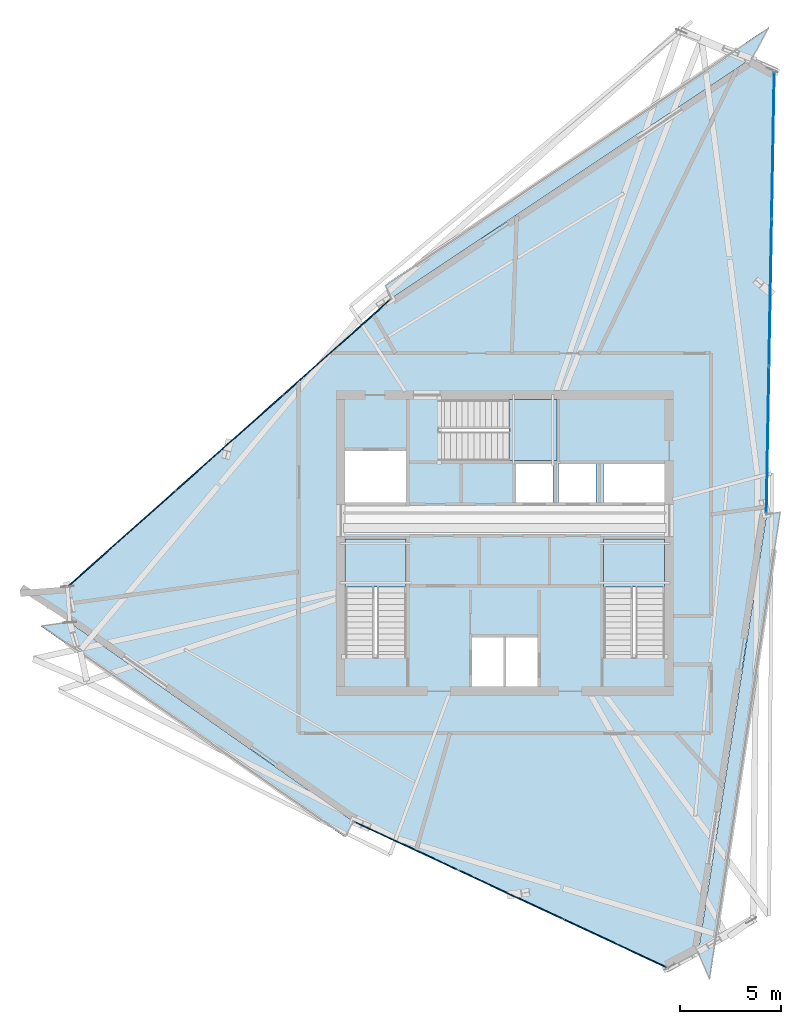
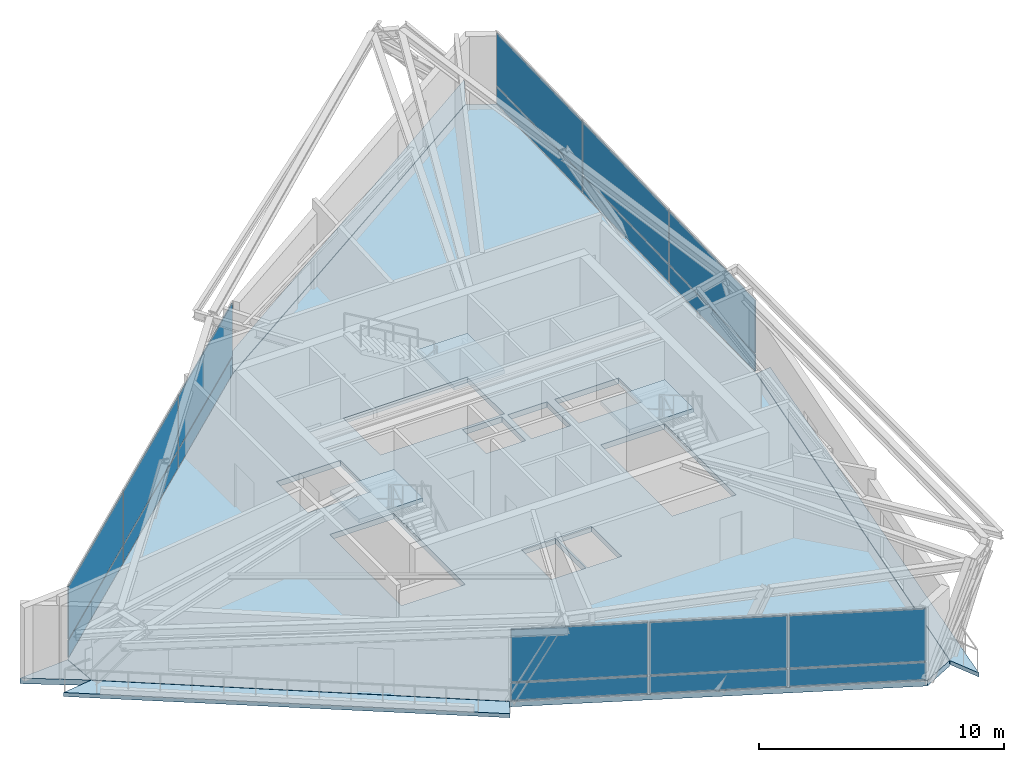
# One storey, part 14 of 22: 18 plates, 8 slabs, 6 elements without a shape of their own.
"""IFC4 building model written with IfcOpenShell, lengths in metres."""

from ifc_helpers import new_model, si_unit, direction, frame, origin, origin_2d, place, context, subcontext, project, spatial, polyline, rectangle, outline, extrude, source, transform, mapped, material, layer, layer_set, type_object, element, aggregate, save


model = new_model("IFC4")

# Units and contexts
model_context = context("Model", 3, precision=1e-05, world=origin(), true_north=direction((0.0, 1.0)))
body_context = subcontext(model_context, "Body", "Model", "MODEL_VIEW")
ifc_project = project(units=[si_unit("LENGTHUNIT", "METRE"), si_unit("AREAUNIT", "SQUARE_METRE"), si_unit("VOLUMEUNIT", "CUBIC_METRE"), si_unit("PLANEANGLEUNIT", "RADIAN"), si_unit("MASSUNIT", "GRAM", prefix="KILO")], contexts=[model_context])

# Site, building, storey
site_placement = place(None, origin())
site = spatial("IfcSite", under=ifc_project, at=site_placement, CompositionType="ELEMENT")
building_placement = place(site_placement, origin())
building = spatial("IfcBuilding", under=site, at=building_placement, Name="Olszyna Solenne Hotel", CompositionType="ELEMENT")
storey_placement = place(building_placement, frame((0.0, 0.0, 286.10009765625)))
storey = spatial("IfcBuildingStorey", under=building, at=storey_placement, Name="L76", CompositionType="ELEMENT", Elevation=286.10009765625)

# Stair, slab
ifc_material_1 = material(Name="Concrete C40/50", Category="concrete")
stair_type = type_object("IfcStairType", Name="STR-C1", PredefinedType="TWO_QUARTER_WINDING_STAIR", material=ifc_material_1)
stair_1_placement = place(storey_placement, origin())
stair_1 = element("IfcStair", 1, at=stair_1_placement, inside=storey, type_object=stair_type, Name="L76 ST1", PredefinedType="TWO_QUARTER_WINDING_STAIR")
ifc_layer_1 = layer(ifc_material_1, 0.18994140625, Name="Concrete C40/50")
ifc_layer_set_1 = layer_set([ifc_layer_1], Name="Concrete C40/50")
slab_type_1 = type_object("IfcSlabType", Name="SL-LN190", PredefinedType="LANDING", material=ifc_layer_set_1)
slab_1_placement = place(storey_placement, frame((0.0, 0.0, 2.0)))
slab_1 = element("IfcSlab", 2, at=slab_1_placement, type_object=slab_type_1, Name="ST1 landing 1", PredefinedType="LANDING", context=body_context, shape_type="SweptSolid", body=[
    extrude(outline(polyline([(33.1201171875, 24.429931640625), (33.1201171875, 26.800048828125), (30.10009765625, 26.800048828125), (30.10009765625, 24.429931640625), (33.1201171875, 24.429931640625)])), origin(), (0.0, 0.0, 1.0), 0.199951171875),
])
aggregate(stair_1, [slab_1])

stair_2_placement = place(storey_placement, origin())
stair_2 = element("IfcStair", 3, at=stair_2_placement, inside=storey, type_object=stair_type, Name="L76 ST2", PredefinedType="TWO_QUARTER_WINDING_STAIR")
slab_2_placement = place(storey_placement, frame((0.0, 0.0, 2.0)))
slab_2 = element("IfcSlab", 4, at=slab_2_placement, type_object=slab_type_1, Name="ST2 landing 1", PredefinedType="LANDING", context=body_context, shape_type="SweptSolid", body=[
    extrude(outline(polyline([(45.89990234375, 24.429931640625), (45.89990234375, 26.800048828125), (42.8798828125, 26.800048828125), (42.8798828125, 24.429931640625), (45.89990234375, 24.429931640625)])), origin(), (0.0, 0.0, 1.0), 0.199951171875),
])
aggregate(stair_2, [slab_2])

stair_3_placement = place(storey_placement, origin())
stair_3 = element("IfcStair", 5, at=stair_3_placement, inside=storey, type_object=stair_type, Name="L76 ST3", PredefinedType="TWO_QUARTER_WINDING_STAIR")
slab_3_placement = place(storey_placement, frame((0.0, 0.0, 2.0)))
slab_3 = element("IfcSlab", 6, at=slab_3_placement, type_object=slab_type_1, Name="ST3 landing 1", PredefinedType="LANDING", context=body_context, shape_type="SweptSolid", body=[
    extrude(outline(polyline([(38.2099609375, 30.679931640625), (40.580078125, 30.679931640625), (40.580078125, 33.699951171875), (38.2099609375, 33.699951171875), (38.2099609375, 30.679931640625)])), origin(), (0.0, 0.0, 1.0), 0.199951171875),
])
aggregate(stair_3, [slab_3])

# Slabs
ifc_material_2 = material(Name="Precast concrete C45/55", Category="concrete")
ifc_layer_2 = layer(ifc_material_2, 0.199951171875, Name="Precast concrete C45/55")
ifc_layer_set_2 = layer_set([ifc_layer_2], Name="Precast concrete C45/55")
slab_type_2 = type_object("IfcSlabType", Name="SL-LOG200", PredefinedType="FLOOR", material=ifc_layer_set_2)
slab_4_placement = place(storey_placement, frame((0.0, 0.0, -0.2001953125)))
element("IfcSlab", 7, at=slab_4_placement, inside=storey, type_object=slab_type_2, Name="Exterior loggia balcony slab SL-L76-LG1", PredefinedType="FLOOR", context=body_context, shape_type="SweptSolid", body=[
    extrude(outline(polyline([(32.370361328125, 38.700927734375), (50.2080078125, 50.570068359375), (50.209228515625, 50.57080078125), (50.210693359375, 50.5712890625), (50.2119140625, 50.572021484375), (50.21337890625, 50.572265625), (50.21484375, 50.572509765625), (50.21630859375, 50.572509765625), (50.218017578125, 50.572509765625), (50.21923828125, 50.572265625), (50.220703125, 50.57177734375), (50.22216796875, 50.5712890625), (50.223388671875, 50.57080078125), (51.062744140625, 52.12451171875), (32.080322265625, 39.372314453125), (32.370361328125, 38.700927734375)])), origin(), (0.0, 0.0, 1.0), 0.2001953125),
])
slab_5_placement = place(storey_placement, frame((0.0, 0.0, -0.2001953125)))
element("IfcSlab", 8, at=slab_5_placement, inside=storey, type_object=slab_type_2, Name="Exterior loggia balcony slab SL-L76-LG2", PredefinedType="FLOOR", context=body_context, shape_type="SweptSolid", body=[
    extrude(outline(polyline([(30.51123046875, 12.829345703125), (30.5107421875, 12.82958984375), (30.509765625, 12.830322265625), (16.476806640625, 22.680908203125), (16.46240234375, 22.690185546875), (15.046630859375, 22.497314453125), (30.09521484375, 12.05908203125), (30.51123046875, 12.829345703125)])), origin(), (0.0, 0.0, 1.0), 0.2001953125),
])
slab_6_placement = place(storey_placement, frame((0.0, 0.0, -0.2001953125)))
element("IfcSlab", 9, at=slab_6_placement, inside=storey, type_object=slab_type_2, Name="Exterior loggia balcony slab SL-L76-LG3", PredefinedType="FLOOR", context=body_context, shape_type="SweptSolid", body=[
    extrude(outline(polyline([(50.947265625, 28.0322265625), (50.947265625, 28.02978515625), (50.947021484375, 28.02783203125), (47.565185546875, 6.365478515625), (47.564697265625, 6.364013671875), (47.564453125, 6.36279296875), (47.56396484375, 6.361328125), (47.563232421875, 6.360107421875), (47.5625, 6.35888671875), (47.5615234375, 6.35791015625), (47.560546875, 6.356689453125), (47.5595703125, 6.35595703125), (47.558349609375, 6.35498046875), (47.55712890625, 6.3544921875), (47.556396484375, 6.35400390625), (48.142333984375, 4.996826171875), (51.651611328125, 28.12841796875), (50.947265625, 28.0322265625)])), origin(), (0.0, 0.0, 1.0), 0.2001953125),
])
ifc_material_3 = material(Name="Concrete C50/60", Category="concrete")
ifc_layer_3 = layer(ifc_material_3, 0.280029296875, Name="Concrete C50/60")
ifc_layer_set_3 = layer_set([ifc_layer_3], Name="Concrete C50/60")
slab_type_3 = type_object("IfcSlabType", Name="SL-OB280", PredefinedType="FLOOR", material=ifc_layer_set_3)
slab_7_placement = place(storey_placement, frame((0.0, 0.0, -0.280029296875)))
element("IfcSlab", 10, at=slab_7_placement, inside=storey, type_object=slab_type_3, Name="Floor slab SL-OB280 SL-L76-01", PredefinedType="FLOOR", context=body_context, shape_type="SweptSolid", body=[
    extrude(outline(polyline([(51.325439453125, 49.95166015625), (50.21630859375, 50.5576171875), (32.376220703125, 38.68701171875), (16.368896484375, 24.441162109375), (16.485107421875, 22.693359375), (30.518310546875, 12.842529296875), (46.0537109375, 5.588623046875), (47.55029296875, 6.36767578125), (50.932373046875, 28.0302734375), (51.325439453125, 49.95166015625)]), holes=[polyline([(30.10009765625, 20.949951171875), (33.1201171875, 20.949951171875), (33.1201171875, 26.800048828125), (30.10009765625, 26.800048828125), (30.10009765625, 20.949951171875)]), polyline([(42.8798828125, 20.949951171875), (45.89990234375, 20.949951171875), (45.89990234375, 26.800048828125), (42.8798828125, 26.800048828125), (42.8798828125, 20.949951171875)]), polyline([(34.72998046875, 30.679931640625), (40.580078125, 30.679931640625), (40.580078125, 33.699951171875), (34.72998046875, 33.699951171875), (34.72998046875, 30.679931640625)]), polyline([(36.340087890625, 19.5), (37.9599609375, 19.5), (37.9599609375, 21.9599609375), (36.340087890625, 21.9599609375), (36.340087890625, 19.5)]), polyline([(38.0400390625, 19.5), (39.659912109375, 19.5), (39.659912109375, 21.9599609375), (38.0400390625, 21.9599609375), (38.0400390625, 19.5)]), polyline([(30.10009765625, 28.60009765625), (33.1201171875, 28.60009765625), (33.1201171875, 31.159912109375), (30.10009765625, 31.159912109375), (30.10009765625, 28.60009765625)]), polyline([(38.530029296875, 28.60009765625), (40.389892578125, 28.60009765625), (40.389892578125, 30.550048828125), (38.530029296875, 30.550048828125), (38.530029296875, 28.60009765625)]), polyline([(40.659912109375, 28.60009765625), (42.52001953125, 28.60009765625), (42.52001953125, 30.550048828125), (40.659912109375, 30.550048828125), (40.659912109375, 28.60009765625)]), polyline([(42.8798828125, 28.60009765625), (45.89990234375, 28.60009765625), (45.89990234375, 30.550048828125), (42.8798828125, 30.550048828125), (42.8798828125, 28.60009765625)])]), origin(), (0.0, 0.0, 1.0), 0.280029296875),
])
slab_8_placement = place(storey_placement, frame((0.0, 0.0, -0.280029296875)))
element("IfcSlab", 11, at=slab_8_placement, inside=storey, type_object=slab_type_3, Name="Faceted glass-prism floor slab SL-L76-PR", PredefinedType="FLOOR", context=body_context, shape_type="SweptSolid", body=[
    extrude(outline(polyline([(16.474609375, 22.7001953125), (16.35888671875, 24.4404296875), (14.02490234375, 24.275390625), (16.474609375, 22.7001953125)])), origin(), (0.0, 0.0, 1.0), 0.280029296875),
])

# Curtain wall, plates
ifc_material_4 = material(Name="Anodised bronze aluminium", Category="aluminium")
curtain_wall_type = type_object("IfcCurtainWallType", Name="CW-SYS-7", PredefinedType="NOTDEFINED", material=ifc_material_4)
curtain_wall_1_placement = place(storey_placement, origin())
curtain_wall_1 = element("IfcCurtainWall", 12, at=curtain_wall_1_placement, inside=storey, type_object=curtain_wall_type, Name="Unitised curtain wall CW-SYS-7 CW-L76-01", PredefinedType="NOTDEFINED")
ifc_material_5 = material(Name="Terracotta cladding", Category="masonry")
plate_type_1 = type_object("IfcPlateType", Name="PN-SP1", PredefinedType="CURTAIN_PANEL", material=ifc_material_5)
shared_shape_1 = source(origin(), body_context, "Body", "SweptSolid", [
    extrude(rectangle(XDim=5.61767578125, YDim=0.048095703125, at=origin_2d()), origin(), (0.0, 0.0, 1.0), 0.8525390625),
])
plate_1_placement = place(storey_placement, frame((33.122314453125, 11.626708984375, 0.06494140625), z_axis=(0.0, 0.0, 1.0), x_axis=(0.906090438028, -0.423084055613, 0.0)))
plate_1 = element("IfcPlate", 13, at=plate_1_placement, type_object=plate_type_1, Name="Curtain-wall panel PN-SP1 CP-L76-01-01", PredefinedType="CURTAIN_PANEL", context=body_context, shape_type="MappedRepresentation", body=[
    mapped(shared_shape_1, transform((0.0, 0.0, 0.0), x_axis=(1.0, 0.0, 0.0), y_axis=(0.0, 1.0, 0.0), z_axis=(0.0, 0.0, 1.0), scale=1.0)),
])
plate_2_placement = place(storey_placement, frame((43.44970703125, 6.804443359375, 0.06494140625), z_axis=(0.0, 0.0, 1.0), x_axis=(0.906090438028, -0.423084055613, 0.0)))
plate_2 = element("IfcPlate", 14, at=plate_2_placement, type_object=plate_type_1, Name="Curtain-wall panel PN-SP1 CP-L76-01-05", PredefinedType="CURTAIN_PANEL", context=body_context, shape_type="MappedRepresentation", body=[
    mapped(shared_shape_1, transform((0.0, 0.0, 0.0), x_axis=(1.0, 0.0, 0.0), y_axis=(0.0, 1.0, 0.0), z_axis=(0.0, 0.0, 1.0), scale=1.0)),
])
ifc_material_6 = material(Name="Low-E triple glazing", Category="glass")
plate_type_2 = type_object("IfcPlateType", Name="PN-GL2", PredefinedType="CURTAIN_PANEL", material=ifc_material_6)
shared_shape_2 = source(origin(), body_context, "Body", "SweptSolid", [
    extrude(rectangle(XDim=5.61767578125, YDim=0.048095703125, at=origin_2d()), origin(), (0.0, 0.0, 1.0), 2.614501953125),
])
plate_3_placement = place(storey_placement, frame((33.122314453125, 11.626708984375, 0.982421875), z_axis=(0.0, 0.0, 1.0), x_axis=(0.906090438028, -0.423084055613, 0.0)))
plate_3 = element("IfcPlate", 15, at=plate_3_placement, type_object=plate_type_2, Name="Curtain-wall panel PN-GL2 CP-L76-01-02", PredefinedType="CURTAIN_PANEL", context=body_context, shape_type="MappedRepresentation", body=[
    mapped(shared_shape_2, transform((0.0, 0.0, 0.0), x_axis=(1.0, 0.0, 0.0), y_axis=(0.0, 1.0, 0.0), z_axis=(0.0, 0.0, 1.0), scale=1.0)),
])
plate_4_placement = place(storey_placement, frame((43.44970703125, 6.804443359375, 0.982421875), z_axis=(0.0, 0.0, 1.0), x_axis=(0.906090438028, -0.423084055613, 0.0)))
plate_4 = element("IfcPlate", 16, at=plate_4_placement, type_object=plate_type_2, Name="Curtain-wall panel PN-GL2 CP-L76-01-06", PredefinedType="CURTAIN_PANEL", context=body_context, shape_type="MappedRepresentation", body=[
    mapped(shared_shape_2, transform((0.0, 0.0, 0.0), x_axis=(1.0, 0.0, 0.0), y_axis=(0.0, 1.0, 0.0), z_axis=(0.0, 0.0, 1.0), scale=1.0)),
])
shared_shape_3 = source(origin(), body_context, "Body", "SweptSolid", [
    extrude(rectangle(XDim=5.650146484375, YDim=0.048095703125, at=origin_2d()), origin(), (0.0, 0.0, 1.0), 0.8525390625),
])
plate_5_placement = place(storey_placement, frame((38.285888671875, 9.215576171875, 0.06494140625), z_axis=(0.0, 0.0, 1.0), x_axis=(0.906090438028, -0.423084055613, 0.0)))
plate_5 = element("IfcPlate", 17, at=plate_5_placement, type_object=plate_type_1, Name="Curtain-wall panel PN-SP1 CP-L76-01-03", PredefinedType="CURTAIN_PANEL", context=body_context, shape_type="MappedRepresentation", body=[
    mapped(shared_shape_3, transform((0.0, 0.0, 0.0), x_axis=(1.0, 0.0, 0.0), y_axis=(0.0, 1.0, 0.0), z_axis=(0.0, 0.0, 1.0), scale=1.0)),
])
shared_shape_4 = source(origin(), body_context, "Body", "SweptSolid", [
    extrude(rectangle(XDim=5.650146484375, YDim=0.048095703125, at=origin_2d()), origin(), (0.0, 0.0, 1.0), 2.614501953125),
])
plate_6_placement = place(storey_placement, frame((38.285888671875, 9.215576171875, 0.982421875), z_axis=(0.0, 0.0, 1.0), x_axis=(0.906090438028, -0.423084055613, 0.0)))
plate_6 = element("IfcPlate", 18, at=plate_6_placement, type_object=plate_type_2, Name="Curtain-wall panel PN-GL2 CP-L76-01-04", PredefinedType="CURTAIN_PANEL", context=body_context, shape_type="MappedRepresentation", body=[
    mapped(shared_shape_4, transform((0.0, 0.0, 0.0), x_axis=(1.0, 0.0, 0.0), y_axis=(0.0, 1.0, 0.0), z_axis=(0.0, 0.0, 1.0), scale=1.0)),
])
aggregate(curtain_wall_1, [plate_1, plate_3, plate_5, plate_6, plate_2, plate_4])

curtain_wall_2_placement = place(storey_placement, origin())
curtain_wall_2 = element("IfcCurtainWall", 19, at=curtain_wall_2_placement, inside=storey, type_object=curtain_wall_type, Name="Unitised curtain wall CW-SYS-7 CW-L76-02", PredefinedType="NOTDEFINED")
shared_shape_5 = source(origin(), body_context, "Body", "SweptSolid", [
    extrude(rectangle(XDim=7.045166015625, YDim=0.048095703125, at=origin_2d()), origin(), (0.0, 0.0, 1.0), 0.8525390625),
])
plate_7_placement = place(storey_placement, frame((19.049072265625, 26.826171875, 0.06494140625), z_axis=(0.0, 0.0, 1.0), x_axis=(0.747015509589, 0.6648066098, 0.0)))
plate_7 = element("IfcPlate", 20, at=plate_7_placement, type_object=plate_type_1, Name="Curtain-wall panel PN-SP1 CP-L76-02-01", PredefinedType="CURTAIN_PANEL", context=body_context, shape_type="MappedRepresentation", body=[
    mapped(shared_shape_5, transform((0.0, 0.0, 0.0), x_axis=(1.0, 0.0, 0.0), y_axis=(0.0, 1.0, 0.0), z_axis=(0.0, 0.0, 1.0), scale=1.0)),
])
plate_8_placement = place(storey_placement, frame((29.6962890625, 36.3017578125, 0.06494140625), z_axis=(0.0, 0.0, 1.0), x_axis=(0.747015509589, 0.6648066098, 0.0)))
plate_8 = element("IfcPlate", 21, at=plate_8_placement, type_object=plate_type_1, Name="Curtain-wall panel PN-SP1 CP-L76-02-05", PredefinedType="CURTAIN_PANEL", context=body_context, shape_type="MappedRepresentation", body=[
    mapped(shared_shape_5, transform((0.0, 0.0, 0.0), x_axis=(1.0, 0.0, 0.0), y_axis=(0.0, 1.0, 0.0), z_axis=(0.0, 0.0, 1.0), scale=1.0)),
])
shared_shape_6 = source(origin(), body_context, "Body", "SweptSolid", [
    extrude(rectangle(XDim=7.045166015625, YDim=0.048095703125, at=origin_2d()), origin(), (0.0, 0.0, 1.0), 2.614501953125),
])
plate_9_placement = place(storey_placement, frame((19.049072265625, 26.826171875, 0.982421875), z_axis=(0.0, 0.0, 1.0), x_axis=(0.747015509589, 0.6648066098, 0.0)))
plate_9 = element("IfcPlate", 22, at=plate_9_placement, type_object=plate_type_2, Name="Curtain-wall panel PN-GL2 CP-L76-02-02", PredefinedType="CURTAIN_PANEL", context=body_context, shape_type="MappedRepresentation", body=[
    mapped(shared_shape_6, transform((0.0, 0.0, 0.0), x_axis=(1.0, 0.0, 0.0), y_axis=(0.0, 1.0, 0.0), z_axis=(0.0, 0.0, 1.0), scale=1.0)),
])
plate_10_placement = place(storey_placement, frame((29.6962890625, 36.3017578125, 0.982421875), z_axis=(0.0, 0.0, 1.0), x_axis=(0.747015509589, 0.6648066098, 0.0)))
plate_10 = element("IfcPlate", 23, at=plate_10_placement, type_object=plate_type_2, Name="Curtain-wall panel PN-GL2 CP-L76-02-06", PredefinedType="CURTAIN_PANEL", context=body_context, shape_type="MappedRepresentation", body=[
    mapped(shared_shape_6, transform((0.0, 0.0, 0.0), x_axis=(1.0, 0.0, 0.0), y_axis=(0.0, 1.0, 0.0), z_axis=(0.0, 0.0, 1.0), scale=1.0)),
])
shared_shape_7 = source(origin(), body_context, "Body", "SweptSolid", [
    extrude(rectangle(XDim=7.077880859375, YDim=0.048095703125, at=origin_2d()), origin(), (0.0, 0.0, 1.0), 0.8525390625),
])
plate_11_placement = place(storey_placement, frame((24.37255859375, 31.56396484375, 0.06494140625), z_axis=(0.0, 0.0, 1.0), x_axis=(0.747015509589, 0.6648066098, 0.0)))
plate_11 = element("IfcPlate", 24, at=plate_11_placement, type_object=plate_type_1, Name="Curtain-wall panel PN-SP1 CP-L76-02-03", PredefinedType="CURTAIN_PANEL", context=body_context, shape_type="MappedRepresentation", body=[
    mapped(shared_shape_7, transform((0.0, 0.0, 0.0), x_axis=(1.0, 0.0, 0.0), y_axis=(0.0, 1.0, 0.0), z_axis=(0.0, 0.0, 1.0), scale=1.0)),
])
shared_shape_8 = source(origin(), body_context, "Body", "SweptSolid", [
    extrude(rectangle(XDim=7.077880859375, YDim=0.048095703125, at=origin_2d()), origin(), (0.0, 0.0, 1.0), 2.614501953125),
])
plate_12_placement = place(storey_placement, frame((24.37255859375, 31.56396484375, 0.982421875), z_axis=(0.0, 0.0, 1.0), x_axis=(0.747015509589, 0.6648066098, 0.0)))
plate_12 = element("IfcPlate", 25, at=plate_12_placement, type_object=plate_type_2, Name="Curtain-wall panel PN-GL2 CP-L76-02-04", PredefinedType="CURTAIN_PANEL", context=body_context, shape_type="MappedRepresentation", body=[
    mapped(shared_shape_8, transform((0.0, 0.0, 0.0), x_axis=(1.0, 0.0, 0.0), y_axis=(0.0, 1.0, 0.0), z_axis=(0.0, 0.0, 1.0), scale=1.0)),
])
aggregate(curtain_wall_2, [plate_7, plate_9, plate_11, plate_12, plate_8, plate_10])

curtain_wall_3_placement = place(storey_placement, origin())
curtain_wall_3 = element("IfcCurtainWall", 26, at=curtain_wall_3_placement, inside=storey, type_object=curtain_wall_type, Name="Unitised curtain wall CW-SYS-7 CW-L76-03", PredefinedType="NOTDEFINED")
shared_shape_9 = source(origin(), body_context, "Body", "SweptSolid", [
    extrude(rectangle(XDim=7.210693359375, YDim=0.048095703125, at=origin_2d()), origin(), (0.0, 0.0, 1.0), 0.8525390625),
])
plate_13_placement = place(storey_placement, frame((50.998046875, 31.699951171875, 0.06494140625), z_axis=(0.0, 0.0, 1.0), x_axis=(0.017933925907, 0.999839174218, 0.0)))
plate_13 = element("IfcPlate", 27, at=plate_13_placement, type_object=plate_type_1, Name="Curtain-wall panel PN-SP1 CP-L76-03-01", PredefinedType="CURTAIN_PANEL", context=body_context, shape_type="MappedRepresentation", body=[
    mapped(shared_shape_9, transform((0.0, 0.0, 0.0), x_axis=(1.0, 0.0, 0.0), y_axis=(0.0, 1.0, 0.0), z_axis=(0.0, 0.0, 1.0), scale=1.0)),
])
plate_14_placement = place(storey_placement, frame((51.259765625, 46.28173828125, 0.06494140625), z_axis=(0.0, 0.0, 1.0), x_axis=(0.017933925907, 0.999839174218, 0.0)))
plate_14 = element("IfcPlate", 28, at=plate_14_placement, type_object=plate_type_1, Name="Curtain-wall panel PN-SP1 CP-L76-03-05", PredefinedType="CURTAIN_PANEL", context=body_context, shape_type="MappedRepresentation", body=[
    mapped(shared_shape_9, transform((0.0, 0.0, 0.0), x_axis=(1.0, 0.0, 0.0), y_axis=(0.0, 1.0, 0.0), z_axis=(0.0, 0.0, 1.0), scale=1.0)),
])
shared_shape_10 = source(origin(), body_context, "Body", "SweptSolid", [
    extrude(rectangle(XDim=7.210693359375, YDim=0.048095703125, at=origin_2d()), origin(), (0.0, 0.0, 1.0), 2.614501953125),
])
plate_15_placement = place(storey_placement, frame((50.998046875, 31.699951171875, 0.982421875), z_axis=(0.0, 0.0, 1.0), x_axis=(0.017933925907, 0.999839174218, 0.0)))
plate_15 = element("IfcPlate", 29, at=plate_15_placement, type_object=plate_type_2, Name="Curtain-wall panel PN-GL2 CP-L76-03-02", PredefinedType="CURTAIN_PANEL", context=body_context, shape_type="MappedRepresentation", body=[
    mapped(shared_shape_10, transform((0.0, 0.0, 0.0), x_axis=(1.0, 0.0, 0.0), y_axis=(0.0, 1.0, 0.0), z_axis=(0.0, 0.0, 1.0), scale=1.0)),
])
plate_16_placement = place(storey_placement, frame((51.259765625, 46.28173828125, 0.982421875), z_axis=(0.0, 0.0, 1.0), x_axis=(0.017933925907, 0.999839174218, 0.0)))
plate_16 = element("IfcPlate", 30, at=plate_16_placement, type_object=plate_type_2, Name="Curtain-wall panel PN-GL2 CP-L76-03-06", PredefinedType="CURTAIN_PANEL", context=body_context, shape_type="MappedRepresentation", body=[
    mapped(shared_shape_10, transform((0.0, 0.0, 0.0), x_axis=(1.0, 0.0, 0.0), y_axis=(0.0, 1.0, 0.0), z_axis=(0.0, 0.0, 1.0), scale=1.0)),
])
shared_shape_11 = source(origin(), body_context, "Body", "SweptSolid", [
    extrude(rectangle(XDim=7.243408203125, YDim=0.048095703125, at=origin_2d()), origin(), (0.0, 0.0, 1.0), 0.8525390625),
])
plate_17_placement = place(storey_placement, frame((51.12890625, 38.990966796875, 0.06494140625), z_axis=(0.0, 0.0, 1.0), x_axis=(0.017933925907, 0.999839174218, 0.0)))
plate_17 = element("IfcPlate", 31, at=plate_17_placement, type_object=plate_type_1, Name="Curtain-wall panel PN-SP1 CP-L76-03-03", PredefinedType="CURTAIN_PANEL", context=body_context, shape_type="MappedRepresentation", body=[
    mapped(shared_shape_11, transform((0.0, 0.0, 0.0), x_axis=(1.0, 0.0, 0.0), y_axis=(0.0, 1.0, 0.0), z_axis=(0.0, 0.0, 1.0), scale=1.0)),
])
shared_shape_12 = source(origin(), body_context, "Body", "SweptSolid", [
    extrude(rectangle(XDim=7.243408203125, YDim=0.048095703125, at=origin_2d()), origin(), (0.0, 0.0, 1.0), 2.614501953125),
])
plate_18_placement = place(storey_placement, frame((51.12890625, 38.990966796875, 0.982421875), z_axis=(0.0, 0.0, 1.0), x_axis=(0.017933925907, 0.999839174218, 0.0)))
plate_18 = element("IfcPlate", 32, at=plate_18_placement, type_object=plate_type_2, Name="Curtain-wall panel PN-GL2 CP-L76-03-04", PredefinedType="CURTAIN_PANEL", context=body_context, shape_type="MappedRepresentation", body=[
    mapped(shared_shape_12, transform((0.0, 0.0, 0.0), x_axis=(1.0, 0.0, 0.0), y_axis=(0.0, 1.0, 0.0), z_axis=(0.0, 0.0, 1.0), scale=1.0)),
])
aggregate(curtain_wall_3, [plate_13, plate_15, plate_17, plate_18, plate_14, plate_16])

save(model, "model.ifc")
